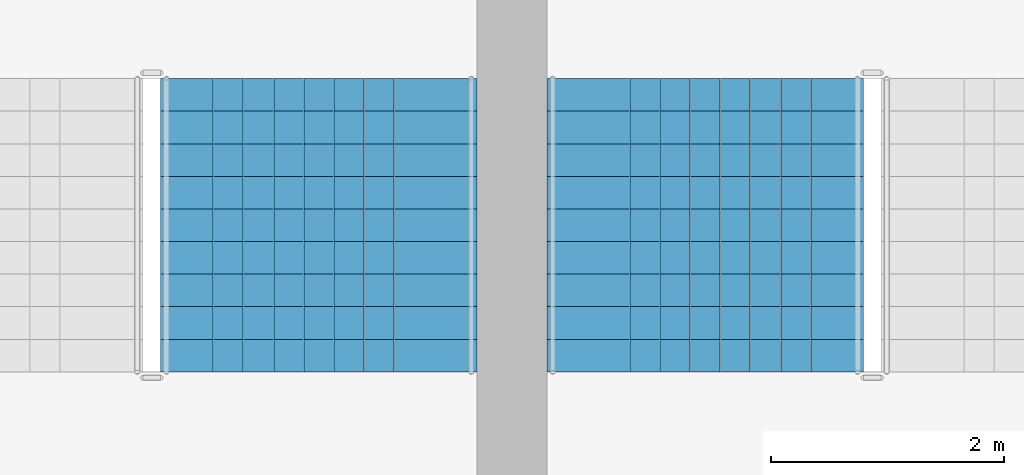
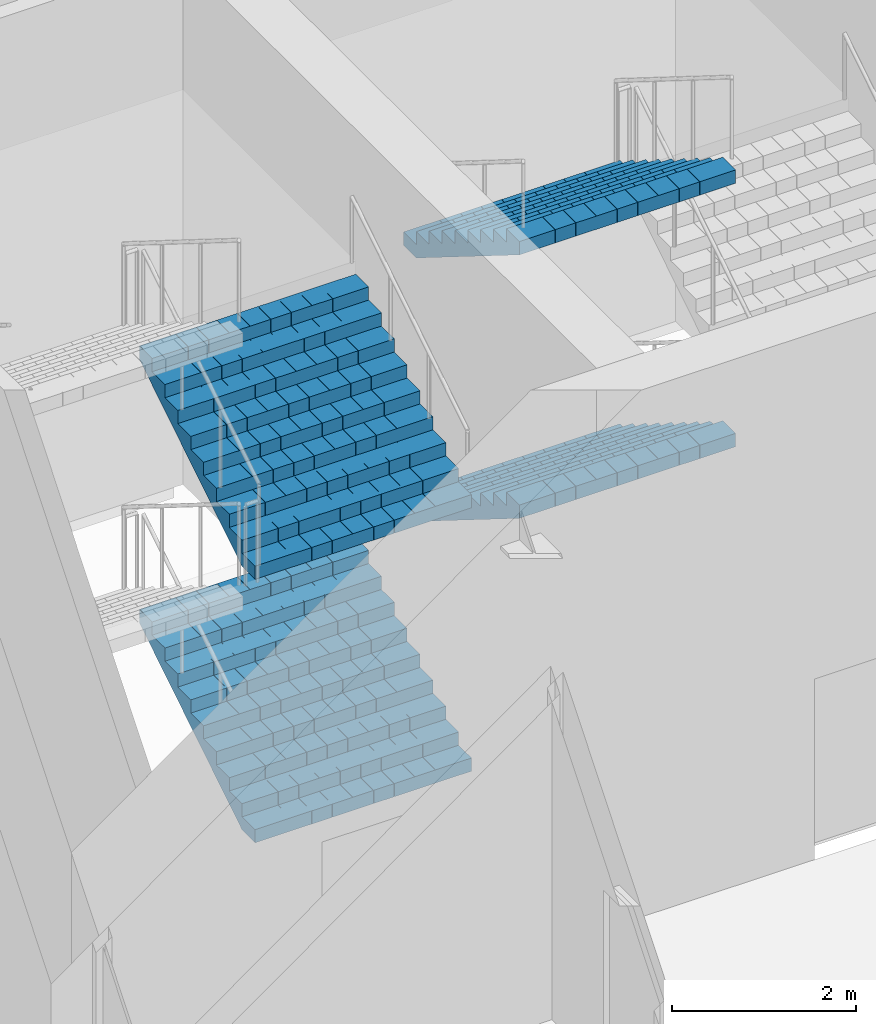
# One storey, part 48 of 62: 4 stair flights, 2 elements without a shape of their own.
"""IFC4 building model written with IfcOpenShell, lengths in metres."""

import ifcopenshell
import ifcopenshell.guid

model = None  # the IFC model being written
_history = None  # IfcOwnerHistory: only IFC2X3 demands one
_inside = {}  # id of a spatial element -> (the spatial element, [elements in it])
_under = {}  # id of a project, library or spatial element -> (it, [spatial elements below it])
_declared = {}  # id of a project -> (the project, [libraries it declares])
_typed = {}  # id of a type object -> (the type object, [elements of that type])
_made_of = {}  # id of a material, layer set ... -> (it, [elements and type objects made of it])


def new_model(schema):
    """Start an empty IFC model of exactly this schema.

    Asked for "IFC4X3", IfcOpenShell would pick the latest addendum, in which some entities
    have other attributes; the version numbers below select the first issue.
    IFC2X3 requires an IfcOwnerHistory on every rooted entity: one is made here for all.
    """
    global model, _history
    if schema == "IFC4X3":
        model = ifcopenshell.file(schema_version=(4, 3, 0, 0))
    else:
        model = ifcopenshell.file(schema=schema)
    _inside.clear()
    _under.clear()
    _declared.clear()
    _typed.clear()
    _made_of.clear()
    _history = None
    if model.schema == "IFC2X3":
        org = make("IfcOrganization", Name="unknown")
        user = make(
            "IfcPersonAndOrganization",
            ThePerson=make("IfcPerson", FamilyName="unknown"),
            TheOrganization=org,
        )
        app = make(
            "IfcApplication",
            ApplicationDeveloper=org,
            Version="unknown",
            ApplicationFullName="unknown",
            ApplicationIdentifier="unknown",
        )
        _history = make(
            "IfcOwnerHistory",
            OwningUser=user,
            OwningApplication=app,
            ChangeAction="ADDED",
            CreationDate=0,
        )
    return model


def make(cls, **values):
    """One entity of the class cls with the attributes given. An attribute that is None is left unset."""
    return model.create_entity(
        cls, **{name: value for name, value in values.items() if value is not None}
    )


def rooted(cls, **values):
    """An entity with a GlobalId (a new one), such as an element, a storey or a relation."""
    return make(cls, GlobalId=ifcopenshell.guid.new(), OwnerHistory=_history, **values)


def si_unit(unit_type, name, prefix=None):
    """IfcSIUnit, for example si_unit("LENGTHUNIT", "METRE", prefix="MILLI")."""
    return make("IfcSIUnit", UnitType=unit_type, Prefix=prefix, Name=name)


def assignment(units):
    """IfcUnitAssignment: the units of a project."""
    return None if units is None else make("IfcUnitAssignment", Units=units)


def point(xyz):
    """IfcCartesianPoint."""
    return None if xyz is None else make("IfcCartesianPoint", Coordinates=xyz)


def direction(xyz):
    """IfcDirection."""
    return None if xyz is None else make("IfcDirection", DirectionRatios=xyz)


def frame(location, z_axis=None, x_axis=None):
    """IfcAxis2Placement3D, a coordinate frame: its origin and axes. An axis left out is left unset."""
    return make(
        "IfcAxis2Placement3D",
        Location=point(location),
        Axis=direction(z_axis),
        RefDirection=direction(x_axis),
    )


def origin():
    """The frame at (0, 0, 0) with its axes left unset."""
    return frame((0.0, 0.0, 0.0))


def place(relative_to, where):
    """IfcLocalPlacement: puts the frame where relative to a parent placement (None: the world)."""
    return make(
        "IfcLocalPlacement", PlacementRelTo=relative_to, RelativePlacement=where
    )


def context(
    kind, dimensions, precision=None, world=None, true_north=None, identifier=None
):
    """IfcGeometricRepresentationContext, for example the 3D "Model" context."""
    return make(
        "IfcGeometricRepresentationContext",
        ContextIdentifier=identifier,
        ContextType=kind,
        CoordinateSpaceDimension=dimensions,
        Precision=precision,
        WorldCoordinateSystem=world,
        TrueNorth=true_north,
    )


def subcontext(parent, identifier, kind, view, scale=None):
    """IfcGeometricRepresentationSubContext, for example "Body" below "Model"."""
    return make(
        "IfcGeometricRepresentationSubContext",
        ContextIdentifier=identifier,
        ContextType=kind,
        ParentContext=parent,
        TargetScale=scale,
        TargetView=view,
    )


def project(units=None, contexts=None):
    """IfcProject with its units and contexts."""
    return rooted(
        "IfcProject",
        Name="project",
        RepresentationContexts=contexts,
        UnitsInContext=assignment(units),
    )


def spatial(cls, under=None, at=None, **own):
    """A site, building, storey or space (cls), placed at a placement, below another one or the project."""
    s = rooted(cls, ObjectPlacement=at, **own)
    if under is not None:
        _under.setdefault(under.id(), (under, []))[1].append(s)
    return s


def polyline(points):
    """IfcPolyline through the points."""
    return make("IfcPolyline", Points=[point(p) for p in points])


def outline(outer, holes=None, kind="AREA"):
    """IfcArbitraryClosedProfileDef: a profile drawn as a closed curve; with holes, ...WithVoids."""
    if holes is None:
        return make("IfcArbitraryClosedProfileDef", ProfileType=kind, OuterCurve=outer)
    return make(
        "IfcArbitraryProfileDefWithVoids",
        ProfileType=kind,
        OuterCurve=outer,
        InnerCurves=holes,
    )


def extrude(swept, where, along, depth):
    """IfcExtrudedAreaSolid: the profile swept, set in the frame where, extruded along a direction by depth."""
    return make(
        "IfcExtrudedAreaSolid",
        SweptArea=swept,
        Position=where,
        ExtrudedDirection=direction(along),
        Depth=depth,
    )


def shape(context_of_items, identifier, shape_type, items):
    """IfcShapeRepresentation: the items that make up one representation, for example the "Body"."""
    return make(
        "IfcShapeRepresentation",
        ContextOfItems=context_of_items,
        RepresentationIdentifier=identifier,
        RepresentationType=shape_type,
        Items=items,
    )


def material(Name=None, Category=None):
    """IfcMaterial."""
    return make("IfcMaterial", Name=Name, Category=Category)


def made_of(thing, what):
    """Note that an element or type object is made of a material, layer set ...; save() writes the relation."""
    if what is not None:
        _made_of.setdefault(what.id(), (what, []))[1].append(thing)
    return thing


def type_object(cls, material=None, **own):
    """A type object (cls), such as IfcWallType, which elements share."""
    return made_of(rooted(cls, **own), material)


def element(
    cls,
    number,
    at=None,
    inside=None,
    cuts=None,
    type_object=None,
    material=None,
    context=None,
    identifier="Body",
    shape_type=None,
    held_by="IfcProductDefinitionShape",
    body=None,
    shapes=None,
    **own,
):
    """One element of the class cls, such as IfcWall. Its Tag is "e" and its number.

    at: its placement. inside: the storey or other place that contains it. cuts: it is an
    opening in that element (IfcRelVoidsElement). A single representation is given by context,
    identifier, shape_type and body (its items); several are given by shapes. held_by: the class
    of the entity that holds the representations. save() writes the other relations.
    """
    e = rooted(cls, Tag="e%d" % number, ObjectPlacement=at, **own)
    if body is not None:
        shapes = [shape(context, identifier, shape_type, body)]
    if shapes is not None:
        e.Representation = make(held_by, Representations=shapes)
    if inside is not None:
        _inside.setdefault(inside.id(), (inside, []))[1].append(e)
    if cuts is not None:
        rooted(
            "IfcRelVoidsElement", RelatingBuildingElement=cuts, RelatedOpeningElement=e
        )
    if type_object is not None:
        _typed.setdefault(type_object.id(), (type_object, []))[1].append(e)
    return made_of(e, material)


def aggregate(whole, parts):
    """IfcRelAggregates: a whole, such as a stair, and the parts it consists of."""
    return rooted("IfcRelAggregates", RelatingObject=whole, RelatedObjects=parts)


def save(model, path):
    """Write the relations noted so far, then the file.

    IfcRelAggregates (storeys below a building ...), IfcRelContainedInSpatialStructure (elements
    in a storey), IfcRelDefinesByType, IfcRelAssociatesMaterial and IfcRelDeclares: one each for
    every whole, place, type object, material and project.
    """
    for whole, parts in _under.values():
        aggregate(whole, parts)
    for where, things in _inside.values():
        rooted(
            "IfcRelContainedInSpatialStructure",
            RelatedElements=things,
            RelatingStructure=where,
        )
    for kind, things in _typed.values():
        rooted("IfcRelDefinesByType", RelatedObjects=things, RelatingType=kind)
    for what, things in _made_of.values():
        rooted("IfcRelAssociatesMaterial", RelatedObjects=things, RelatingMaterial=what)
    for by, libraries in _declared.values():
        rooted("IfcRelDeclares", RelatingContext=by, RelatedDefinitions=libraries)
    model.write(path)


model = new_model("IFC4")

# Units and contexts
model_context = context("Model", 3, precision=1e-05, world=origin(), true_north=direction((0.0, 1.0)))
body_context = subcontext(model_context, "Body", "Model", "MODEL_VIEW")
ifc_project = project(units=[si_unit("LENGTHUNIT", "METRE"), si_unit("AREAUNIT", "SQUARE_METRE"), si_unit("VOLUMEUNIT", "CUBIC_METRE"), si_unit("PLANEANGLEUNIT", "RADIAN"), si_unit("MASSUNIT", "GRAM", prefix="KILO")], contexts=[model_context])

# Site, building, storey
site_placement = place(None, origin())
site = spatial("IfcSite", under=ifc_project, at=site_placement, CompositionType="ELEMENT")
building_placement = place(site_placement, origin())
building = spatial("IfcBuilding", under=site, at=building_placement, Name="Corbelhall Arena Tower", CompositionType="ELEMENT")
storey_placement = place(building_placement, frame((0.0, 0.0, 12.0)))
storey = spatial("IfcBuildingStorey", under=building, at=storey_placement, Name="L01", CompositionType="ELEMENT", Elevation=12.0)

# Stair, stair flights
ifc_material = material(Name="Reinforced concrete C40/50", Category="concrete")
stair_type = type_object("IfcStairType", Name="AR-EXIT-STAIR", PredefinedType="HALF_TURN_STAIR", material=ifc_material)
stair_1_placement = place(storey_placement, origin())
stair_1 = element("IfcStair", 1, at=stair_1_placement, inside=storey, type_object=stair_type, Name="L01 exit stair AS3", PredefinedType="HALF_TURN_STAIR")
stair_flight_type = type_object("IfcStairFlightType", Name="AR-EXIT-FLIGHT", PredefinedType="STRAIGHT", material=ifc_material)
stair_flight_1_placement = place(storey_placement, frame((-38.840087890625, 29.840087890625, 1.75), z_axis=(0.0, 0.0, 1.0), x_axis=(0.0, -1.0, 0.0)))
stair_flight_1 = element("IfcStairFlight", 2, at=stair_flight_1_placement, type_object=stair_flight_type, Name="AS3 flight 2", NumberOfRisers=10, NumberOfTreads=9, PredefinedType="STRAIGHT", RiserHeight=0.175, TreadLength=0.28, context=body_context, shape_type="SweptSolid", body=[
    extrude(outline(polyline([(0.0, 0.0), (0.0, 0.175048828125), (0.280029296875, 0.175048828125), (0.280029296875, 0.35009765625), (0.56005859375, 0.35009765625), (0.56005859375, 0.52490234375), (0.840087890625, 0.52490234375), (0.840087890625, 0.699951171875), (1.1201171875, 0.699951171875), (1.1201171875, 0.875), (1.39990234375, 0.875), (1.39990234375, 1.050048828125), (1.679931640625, 1.050048828125), (1.679931640625, 1.22509765625), (1.9599609375, 1.22509765625), (1.9599609375, 1.39990234375), (2.239990234375, 1.39990234375), (2.239990234375, 1.574951171875), (2.52001953125, 1.574951171875), (2.52001953125, 1.75), (2.52001953125, 1.398193359375), (0.28271484375, 0.0), (0.0, 0.0)])), frame((0.0, 1.35986328125, 0.0), z_axis=(0.0, -1.0, 0.0), x_axis=(1.0, 0.0, 0.0)), (0.0, 0.0, 1.0), 0.449951171875),
    extrude(outline(polyline([(0.0, 0.0), (0.0, 0.175048828125), (0.280029296875, 0.175048828125), (0.280029296875, 0.35009765625), (0.56005859375, 0.35009765625), (0.56005859375, 0.52490234375), (0.840087890625, 0.52490234375), (0.840087890625, 0.699951171875), (1.1201171875, 0.699951171875), (1.1201171875, 0.875), (1.39990234375, 0.875), (1.39990234375, 1.050048828125), (1.679931640625, 1.050048828125), (1.679931640625, 1.22509765625), (1.9599609375, 1.22509765625), (1.9599609375, 1.39990234375), (2.239990234375, 1.39990234375), (2.239990234375, 1.574951171875), (2.52001953125, 1.574951171875), (2.52001953125, 1.75), (2.52001953125, 1.398193359375), (0.28271484375, 0.0), (0.0, 0.0)])), frame((0.0, 0.906005859375, 0.0), z_axis=(0.0, -1.0, 0.0), x_axis=(1.0, 0.0, 0.0)), (0.0, 0.0, 1.0), 0.25537109375),
    extrude(outline(polyline([(0.0, 0.0), (0.0, 0.175048828125), (0.280029296875, 0.175048828125), (0.280029296875, 0.35009765625), (0.56005859375, 0.35009765625), (0.56005859375, 0.52490234375), (0.840087890625, 0.52490234375), (0.840087890625, 0.699951171875), (1.1201171875, 0.699951171875), (1.1201171875, 0.875), (1.39990234375, 0.875), (1.39990234375, 1.050048828125), (1.679931640625, 1.050048828125), (1.679931640625, 1.22509765625), (1.9599609375, 1.22509765625), (1.9599609375, 1.39990234375), (2.239990234375, 1.39990234375), (2.239990234375, 1.574951171875), (2.52001953125, 1.574951171875), (2.52001953125, 1.75), (2.52001953125, 1.398193359375), (0.28271484375, 0.0), (0.0, 0.0)])), frame((0.0, 0.646484375, 0.0), z_axis=(0.0, -1.0, 0.0), x_axis=(1.0, 0.0, 0.0)), (0.0, 0.0, 1.0), 0.25537109375),
    extrude(outline(polyline([(0.0, 0.0), (0.0, 0.175048828125), (0.280029296875, 0.175048828125), (0.280029296875, 0.35009765625), (0.56005859375, 0.35009765625), (0.56005859375, 0.52490234375), (0.840087890625, 0.52490234375), (0.840087890625, 0.699951171875), (1.1201171875, 0.699951171875), (1.1201171875, 0.875), (1.39990234375, 0.875), (1.39990234375, 1.050048828125), (1.679931640625, 1.050048828125), (1.679931640625, 1.22509765625), (1.9599609375, 1.22509765625), (1.9599609375, 1.39990234375), (2.239990234375, 1.39990234375), (2.239990234375, 1.574951171875), (2.52001953125, 1.574951171875), (2.52001953125, 1.75), (2.52001953125, 1.398193359375), (0.28271484375, 0.0), (0.0, 0.0)])), frame((0.0, 0.38720703125, 0.0), z_axis=(0.0, -1.0, 0.0), x_axis=(1.0, 0.0, 0.0)), (0.0, 0.0, 1.0), 0.25537109375),
    extrude(outline(polyline([(0.0, 0.0), (0.0, 0.175048828125), (0.280029296875, 0.175048828125), (0.280029296875, 0.35009765625), (0.56005859375, 0.35009765625), (0.56005859375, 0.52490234375), (0.840087890625, 0.52490234375), (0.840087890625, 0.699951171875), (1.1201171875, 0.699951171875), (1.1201171875, 0.875), (1.39990234375, 0.875), (1.39990234375, 1.050048828125), (1.679931640625, 1.050048828125), (1.679931640625, 1.22509765625), (1.9599609375, 1.22509765625), (1.9599609375, 1.39990234375), (2.239990234375, 1.39990234375), (2.239990234375, 1.574951171875), (2.52001953125, 1.574951171875), (2.52001953125, 1.75), (2.52001953125, 1.398193359375), (0.28271484375, 0.0), (0.0, 0.0)])), frame((0.0, 0.127685546875, 0.0), z_axis=(0.0, -1.0, 0.0), x_axis=(1.0, 0.0, 0.0)), (0.0, 0.0, 1.0), 0.25537109375),
    extrude(outline(polyline([(0.0, 0.0), (0.0, 0.175048828125), (0.280029296875, 0.175048828125), (0.280029296875, 0.35009765625), (0.56005859375, 0.35009765625), (0.56005859375, 0.52490234375), (0.840087890625, 0.52490234375), (0.840087890625, 0.699951171875), (1.1201171875, 0.699951171875), (1.1201171875, 0.875), (1.39990234375, 0.875), (1.39990234375, 1.050048828125), (1.679931640625, 1.050048828125), (1.679931640625, 1.22509765625), (1.9599609375, 1.22509765625), (1.9599609375, 1.39990234375), (2.239990234375, 1.39990234375), (2.239990234375, 1.574951171875), (2.52001953125, 1.574951171875), (2.52001953125, 1.75), (2.52001953125, 1.398193359375), (0.28271484375, 0.0), (0.0, 0.0)])), frame((0.0, -0.131591796875, 0.0), z_axis=(0.0, -1.0, 0.0), x_axis=(1.0, 0.0, 0.0)), (0.0, 0.0, 1.0), 0.25537109375),
    extrude(outline(polyline([(0.0, 0.0), (0.0, 0.175048828125), (0.280029296875, 0.175048828125), (0.280029296875, 0.35009765625), (0.56005859375, 0.35009765625), (0.56005859375, 0.52490234375), (0.840087890625, 0.52490234375), (0.840087890625, 0.699951171875), (1.1201171875, 0.699951171875), (1.1201171875, 0.875), (1.39990234375, 0.875), (1.39990234375, 1.050048828125), (1.679931640625, 1.050048828125), (1.679931640625, 1.22509765625), (1.9599609375, 1.22509765625), (1.9599609375, 1.39990234375), (2.239990234375, 1.39990234375), (2.239990234375, 1.574951171875), (2.52001953125, 1.574951171875), (2.52001953125, 1.75), (2.52001953125, 1.398193359375), (0.28271484375, 0.0), (0.0, 0.0)])), frame((0.0, -0.39111328125, 0.0), z_axis=(0.0, -1.0, 0.0), x_axis=(1.0, 0.0, 0.0)), (0.0, 0.0, 1.0), 0.25537109375),
    extrude(outline(polyline([(0.0, 0.0), (0.0, 0.175048828125), (0.280029296875, 0.175048828125), (0.280029296875, 0.35009765625), (0.56005859375, 0.35009765625), (0.56005859375, 0.52490234375), (0.840087890625, 0.52490234375), (0.840087890625, 0.699951171875), (1.1201171875, 0.699951171875), (1.1201171875, 0.875), (1.39990234375, 0.875), (1.39990234375, 1.050048828125), (1.679931640625, 1.050048828125), (1.679931640625, 1.22509765625), (1.9599609375, 1.22509765625), (1.9599609375, 1.39990234375), (2.239990234375, 1.39990234375), (2.239990234375, 1.574951171875), (2.52001953125, 1.574951171875), (2.52001953125, 1.75), (2.52001953125, 1.398193359375), (0.28271484375, 0.0), (0.0, 0.0)])), frame((0.0, -0.650634765625, 0.0), z_axis=(0.0, -1.0, 0.0), x_axis=(1.0, 0.0, 0.0)), (0.0, 0.0, 1.0), 0.25537109375),
    extrude(outline(polyline([(0.0, 0.0), (0.0, 0.175048828125), (0.280029296875, 0.175048828125), (0.280029296875, 0.35009765625), (0.56005859375, 0.35009765625), (0.56005859375, 0.52490234375), (0.840087890625, 0.52490234375), (0.840087890625, 0.699951171875), (1.1201171875, 0.699951171875), (1.1201171875, 0.875), (1.39990234375, 0.875), (1.39990234375, 1.050048828125), (1.679931640625, 1.050048828125), (1.679931640625, 1.22509765625), (1.9599609375, 1.22509765625), (1.9599609375, 1.39990234375), (2.239990234375, 1.39990234375), (2.239990234375, 1.574951171875), (2.52001953125, 1.574951171875), (2.52001953125, 1.75), (2.52001953125, 1.398193359375), (0.28271484375, 0.0), (0.0, 0.0)])), frame((0.0, -0.909912109375, 0.0), z_axis=(0.0, -1.0, 0.0), x_axis=(1.0, 0.0, 0.0)), (0.0, 0.0, 1.0), 0.449951171875),
])
stair_flight_2_placement = place(storey_placement, frame((-38.840087890625, 29.840087890625, 5.25), z_axis=(0.0, 0.0, 1.0), x_axis=(0.0, -1.0, 0.0)))
stair_flight_2 = element("IfcStairFlight", 3, at=stair_flight_2_placement, type_object=stair_flight_type, Name="AS3 flight 4", NumberOfRisers=10, NumberOfTreads=9, PredefinedType="STRAIGHT", RiserHeight=0.175, TreadLength=0.28, context=body_context, shape_type="SweptSolid", body=[
    extrude(outline(polyline([(0.0, 0.0), (0.0, 0.175048828125), (0.280029296875, 0.175048828125), (0.280029296875, 0.35009765625), (0.56005859375, 0.35009765625), (0.56005859375, 0.52490234375), (0.840087890625, 0.52490234375), (0.840087890625, 0.699951171875), (1.1201171875, 0.699951171875), (1.1201171875, 0.875), (1.39990234375, 0.875), (1.39990234375, 1.050048828125), (1.679931640625, 1.050048828125), (1.679931640625, 1.22509765625), (1.9599609375, 1.22509765625), (1.9599609375, 1.39990234375), (2.239990234375, 1.39990234375), (2.239990234375, 1.574951171875), (2.52001953125, 1.574951171875), (2.52001953125, 1.75), (2.52001953125, 1.398193359375), (0.28271484375, 0.0), (0.0, 0.0)])), frame((0.0, 1.35986328125, 0.0), z_axis=(0.0, -1.0, 0.0), x_axis=(1.0, 0.0, 0.0)), (0.0, 0.0, 1.0), 0.449951171875),
    extrude(outline(polyline([(0.0, 0.0), (0.0, 0.175048828125), (0.280029296875, 0.175048828125), (0.280029296875, 0.35009765625), (0.56005859375, 0.35009765625), (0.56005859375, 0.52490234375), (0.840087890625, 0.52490234375), (0.840087890625, 0.699951171875), (1.1201171875, 0.699951171875), (1.1201171875, 0.875), (1.39990234375, 0.875), (1.39990234375, 1.050048828125), (1.679931640625, 1.050048828125), (1.679931640625, 1.22509765625), (1.9599609375, 1.22509765625), (1.9599609375, 1.39990234375), (2.239990234375, 1.39990234375), (2.239990234375, 1.574951171875), (2.52001953125, 1.574951171875), (2.52001953125, 1.75), (2.52001953125, 1.398193359375), (0.28271484375, 0.0), (0.0, 0.0)])), frame((0.0, 0.906005859375, 0.0), z_axis=(0.0, -1.0, 0.0), x_axis=(1.0, 0.0, 0.0)), (0.0, 0.0, 1.0), 0.25537109375),
    extrude(outline(polyline([(0.0, 0.0), (0.0, 0.175048828125), (0.280029296875, 0.175048828125), (0.280029296875, 0.35009765625), (0.56005859375, 0.35009765625), (0.56005859375, 0.52490234375), (0.840087890625, 0.52490234375), (0.840087890625, 0.699951171875), (1.1201171875, 0.699951171875), (1.1201171875, 0.875), (1.39990234375, 0.875), (1.39990234375, 1.050048828125), (1.679931640625, 1.050048828125), (1.679931640625, 1.22509765625), (1.9599609375, 1.22509765625), (1.9599609375, 1.39990234375), (2.239990234375, 1.39990234375), (2.239990234375, 1.574951171875), (2.52001953125, 1.574951171875), (2.52001953125, 1.75), (2.52001953125, 1.398193359375), (0.28271484375, 0.0), (0.0, 0.0)])), frame((0.0, 0.646484375, 0.0), z_axis=(0.0, -1.0, 0.0), x_axis=(1.0, 0.0, 0.0)), (0.0, 0.0, 1.0), 0.25537109375),
    extrude(outline(polyline([(0.0, 0.0), (0.0, 0.175048828125), (0.280029296875, 0.175048828125), (0.280029296875, 0.35009765625), (0.56005859375, 0.35009765625), (0.56005859375, 0.52490234375), (0.840087890625, 0.52490234375), (0.840087890625, 0.699951171875), (1.1201171875, 0.699951171875), (1.1201171875, 0.875), (1.39990234375, 0.875), (1.39990234375, 1.050048828125), (1.679931640625, 1.050048828125), (1.679931640625, 1.22509765625), (1.9599609375, 1.22509765625), (1.9599609375, 1.39990234375), (2.239990234375, 1.39990234375), (2.239990234375, 1.574951171875), (2.52001953125, 1.574951171875), (2.52001953125, 1.75), (2.52001953125, 1.398193359375), (0.28271484375, 0.0), (0.0, 0.0)])), frame((0.0, 0.38720703125, 0.0), z_axis=(0.0, -1.0, 0.0), x_axis=(1.0, 0.0, 0.0)), (0.0, 0.0, 1.0), 0.25537109375),
    extrude(outline(polyline([(0.0, 0.0), (0.0, 0.175048828125), (0.280029296875, 0.175048828125), (0.280029296875, 0.35009765625), (0.56005859375, 0.35009765625), (0.56005859375, 0.52490234375), (0.840087890625, 0.52490234375), (0.840087890625, 0.699951171875), (1.1201171875, 0.699951171875), (1.1201171875, 0.875), (1.39990234375, 0.875), (1.39990234375, 1.050048828125), (1.679931640625, 1.050048828125), (1.679931640625, 1.22509765625), (1.9599609375, 1.22509765625), (1.9599609375, 1.39990234375), (2.239990234375, 1.39990234375), (2.239990234375, 1.574951171875), (2.52001953125, 1.574951171875), (2.52001953125, 1.75), (2.52001953125, 1.398193359375), (0.28271484375, 0.0), (0.0, 0.0)])), frame((0.0, 0.127685546875, 0.0), z_axis=(0.0, -1.0, 0.0), x_axis=(1.0, 0.0, 0.0)), (0.0, 0.0, 1.0), 0.25537109375),
    extrude(outline(polyline([(0.0, 0.0), (0.0, 0.175048828125), (0.280029296875, 0.175048828125), (0.280029296875, 0.35009765625), (0.56005859375, 0.35009765625), (0.56005859375, 0.52490234375), (0.840087890625, 0.52490234375), (0.840087890625, 0.699951171875), (1.1201171875, 0.699951171875), (1.1201171875, 0.875), (1.39990234375, 0.875), (1.39990234375, 1.050048828125), (1.679931640625, 1.050048828125), (1.679931640625, 1.22509765625), (1.9599609375, 1.22509765625), (1.9599609375, 1.39990234375), (2.239990234375, 1.39990234375), (2.239990234375, 1.574951171875), (2.52001953125, 1.574951171875), (2.52001953125, 1.75), (2.52001953125, 1.398193359375), (0.28271484375, 0.0), (0.0, 0.0)])), frame((0.0, -0.131591796875, 0.0), z_axis=(0.0, -1.0, 0.0), x_axis=(1.0, 0.0, 0.0)), (0.0, 0.0, 1.0), 0.25537109375),
    extrude(outline(polyline([(0.0, 0.0), (0.0, 0.175048828125), (0.280029296875, 0.175048828125), (0.280029296875, 0.35009765625), (0.56005859375, 0.35009765625), (0.56005859375, 0.52490234375), (0.840087890625, 0.52490234375), (0.840087890625, 0.699951171875), (1.1201171875, 0.699951171875), (1.1201171875, 0.875), (1.39990234375, 0.875), (1.39990234375, 1.050048828125), (1.679931640625, 1.050048828125), (1.679931640625, 1.22509765625), (1.9599609375, 1.22509765625), (1.9599609375, 1.39990234375), (2.239990234375, 1.39990234375), (2.239990234375, 1.574951171875), (2.52001953125, 1.574951171875), (2.52001953125, 1.75), (2.52001953125, 1.398193359375), (0.28271484375, 0.0), (0.0, 0.0)])), frame((0.0, -0.39111328125, 0.0), z_axis=(0.0, -1.0, 0.0), x_axis=(1.0, 0.0, 0.0)), (0.0, 0.0, 1.0), 0.25537109375),
    extrude(outline(polyline([(0.0, 0.0), (0.0, 0.175048828125), (0.280029296875, 0.175048828125), (0.280029296875, 0.35009765625), (0.56005859375, 0.35009765625), (0.56005859375, 0.52490234375), (0.840087890625, 0.52490234375), (0.840087890625, 0.699951171875), (1.1201171875, 0.699951171875), (1.1201171875, 0.875), (1.39990234375, 0.875), (1.39990234375, 1.050048828125), (1.679931640625, 1.050048828125), (1.679931640625, 1.22509765625), (1.9599609375, 1.22509765625), (1.9599609375, 1.39990234375), (2.239990234375, 1.39990234375), (2.239990234375, 1.574951171875), (2.52001953125, 1.574951171875), (2.52001953125, 1.75), (2.52001953125, 1.398193359375), (0.28271484375, 0.0), (0.0, 0.0)])), frame((0.0, -0.650634765625, 0.0), z_axis=(0.0, -1.0, 0.0), x_axis=(1.0, 0.0, 0.0)), (0.0, 0.0, 1.0), 0.25537109375),
    extrude(outline(polyline([(0.0, 0.0), (0.0, 0.175048828125), (0.280029296875, 0.175048828125), (0.280029296875, 0.35009765625), (0.56005859375, 0.35009765625), (0.56005859375, 0.52490234375), (0.840087890625, 0.52490234375), (0.840087890625, 0.699951171875), (1.1201171875, 0.699951171875), (1.1201171875, 0.875), (1.39990234375, 0.875), (1.39990234375, 1.050048828125), (1.679931640625, 1.050048828125), (1.679931640625, 1.22509765625), (1.9599609375, 1.22509765625), (1.9599609375, 1.39990234375), (2.239990234375, 1.39990234375), (2.239990234375, 1.574951171875), (2.52001953125, 1.574951171875), (2.52001953125, 1.75), (2.52001953125, 1.398193359375), (0.28271484375, 0.0), (0.0, 0.0)])), frame((0.0, -0.909912109375, 0.0), z_axis=(0.0, -1.0, 0.0), x_axis=(1.0, 0.0, 0.0)), (0.0, 0.0, 1.0), 0.449951171875),
])
aggregate(stair_1, [stair_flight_1, stair_flight_2])

stair_2_placement = place(storey_placement, origin())
stair_2 = element("IfcStair", 4, at=stair_2_placement, inside=storey, type_object=stair_type, Name="L01 exit stair AS4", PredefinedType="HALF_TURN_STAIR")
stair_flight_3_placement = place(storey_placement, frame((-42.159912109375, 27.320068359375, 0.0), z_axis=(0.0, 0.0, 1.0), x_axis=(0.0, 1.0, 0.0)))
stair_flight_3 = element("IfcStairFlight", 5, at=stair_flight_3_placement, type_object=stair_flight_type, Name="AS4 flight 1", NumberOfRisers=10, NumberOfTreads=9, PredefinedType="STRAIGHT", RiserHeight=0.175, TreadLength=0.28, context=body_context, shape_type="SweptSolid", body=[
    extrude(outline(polyline([(0.0, 0.0), (0.0, 0.175048828125), (0.280029296875, 0.175048828125), (0.280029296875, 0.35009765625), (0.56005859375, 0.35009765625), (0.56005859375, 0.52490234375), (0.840087890625, 0.52490234375), (0.840087890625, 0.699951171875), (1.1201171875, 0.699951171875), (1.1201171875, 0.875), (1.39990234375, 0.875), (1.39990234375, 1.050048828125), (1.679931640625, 1.050048828125), (1.679931640625, 1.22509765625), (1.9599609375, 1.22509765625), (1.9599609375, 1.39990234375), (2.239990234375, 1.39990234375), (2.239990234375, 1.574951171875), (2.52001953125, 1.574951171875), (2.52001953125, 1.75), (2.52001953125, 1.398193359375), (0.28271484375, 0.0), (0.0, 0.0)])), frame((0.0, 1.35986328125, 0.0), z_axis=(0.0, -1.0, 0.0), x_axis=(1.0, 0.0, 0.0)), (0.0, 0.0, 1.0), 0.449951171875),
    extrude(outline(polyline([(0.0, 0.0), (0.0, 0.175048828125), (0.280029296875, 0.175048828125), (0.280029296875, 0.35009765625), (0.56005859375, 0.35009765625), (0.56005859375, 0.52490234375), (0.840087890625, 0.52490234375), (0.840087890625, 0.699951171875), (1.1201171875, 0.699951171875), (1.1201171875, 0.875), (1.39990234375, 0.875), (1.39990234375, 1.050048828125), (1.679931640625, 1.050048828125), (1.679931640625, 1.22509765625), (1.9599609375, 1.22509765625), (1.9599609375, 1.39990234375), (2.239990234375, 1.39990234375), (2.239990234375, 1.574951171875), (2.52001953125, 1.574951171875), (2.52001953125, 1.75), (2.52001953125, 1.398193359375), (0.28271484375, 0.0), (0.0, 0.0)])), frame((0.0, 0.906005859375, 0.0), z_axis=(0.0, -1.0, 0.0), x_axis=(1.0, 0.0, 0.0)), (0.0, 0.0, 1.0), 0.25537109375),
    extrude(outline(polyline([(0.0, 0.0), (0.0, 0.175048828125), (0.280029296875, 0.175048828125), (0.280029296875, 0.35009765625), (0.56005859375, 0.35009765625), (0.56005859375, 0.52490234375), (0.840087890625, 0.52490234375), (0.840087890625, 0.699951171875), (1.1201171875, 0.699951171875), (1.1201171875, 0.875), (1.39990234375, 0.875), (1.39990234375, 1.050048828125), (1.679931640625, 1.050048828125), (1.679931640625, 1.22509765625), (1.9599609375, 1.22509765625), (1.9599609375, 1.39990234375), (2.239990234375, 1.39990234375), (2.239990234375, 1.574951171875), (2.52001953125, 1.574951171875), (2.52001953125, 1.75), (2.52001953125, 1.398193359375), (0.28271484375, 0.0), (0.0, 0.0)])), frame((0.0, 0.646484375, 0.0), z_axis=(0.0, -1.0, 0.0), x_axis=(1.0, 0.0, 0.0)), (0.0, 0.0, 1.0), 0.25537109375),
    extrude(outline(polyline([(0.0, 0.0), (0.0, 0.175048828125), (0.280029296875, 0.175048828125), (0.280029296875, 0.35009765625), (0.56005859375, 0.35009765625), (0.56005859375, 0.52490234375), (0.840087890625, 0.52490234375), (0.840087890625, 0.699951171875), (1.1201171875, 0.699951171875), (1.1201171875, 0.875), (1.39990234375, 0.875), (1.39990234375, 1.050048828125), (1.679931640625, 1.050048828125), (1.679931640625, 1.22509765625), (1.9599609375, 1.22509765625), (1.9599609375, 1.39990234375), (2.239990234375, 1.39990234375), (2.239990234375, 1.574951171875), (2.52001953125, 1.574951171875), (2.52001953125, 1.75), (2.52001953125, 1.398193359375), (0.28271484375, 0.0), (0.0, 0.0)])), frame((0.0, 0.38720703125, 0.0), z_axis=(0.0, -1.0, 0.0), x_axis=(1.0, 0.0, 0.0)), (0.0, 0.0, 1.0), 0.25537109375),
    extrude(outline(polyline([(0.0, 0.0), (0.0, 0.175048828125), (0.280029296875, 0.175048828125), (0.280029296875, 0.35009765625), (0.56005859375, 0.35009765625), (0.56005859375, 0.52490234375), (0.840087890625, 0.52490234375), (0.840087890625, 0.699951171875), (1.1201171875, 0.699951171875), (1.1201171875, 0.875), (1.39990234375, 0.875), (1.39990234375, 1.050048828125), (1.679931640625, 1.050048828125), (1.679931640625, 1.22509765625), (1.9599609375, 1.22509765625), (1.9599609375, 1.39990234375), (2.239990234375, 1.39990234375), (2.239990234375, 1.574951171875), (2.52001953125, 1.574951171875), (2.52001953125, 1.75), (2.52001953125, 1.398193359375), (0.28271484375, 0.0), (0.0, 0.0)])), frame((0.0, 0.127685546875, 0.0), z_axis=(0.0, -1.0, 0.0), x_axis=(1.0, 0.0, 0.0)), (0.0, 0.0, 1.0), 0.25537109375),
    extrude(outline(polyline([(0.0, 0.0), (0.0, 0.175048828125), (0.280029296875, 0.175048828125), (0.280029296875, 0.35009765625), (0.56005859375, 0.35009765625), (0.56005859375, 0.52490234375), (0.840087890625, 0.52490234375), (0.840087890625, 0.699951171875), (1.1201171875, 0.699951171875), (1.1201171875, 0.875), (1.39990234375, 0.875), (1.39990234375, 1.050048828125), (1.679931640625, 1.050048828125), (1.679931640625, 1.22509765625), (1.9599609375, 1.22509765625), (1.9599609375, 1.39990234375), (2.239990234375, 1.39990234375), (2.239990234375, 1.574951171875), (2.52001953125, 1.574951171875), (2.52001953125, 1.75), (2.52001953125, 1.398193359375), (0.28271484375, 0.0), (0.0, 0.0)])), frame((0.0, -0.131591796875, 0.0), z_axis=(0.0, -1.0, 0.0), x_axis=(1.0, 0.0, 0.0)), (0.0, 0.0, 1.0), 0.25537109375),
    extrude(outline(polyline([(0.0, 0.0), (0.0, 0.175048828125), (0.280029296875, 0.175048828125), (0.280029296875, 0.35009765625), (0.56005859375, 0.35009765625), (0.56005859375, 0.52490234375), (0.840087890625, 0.52490234375), (0.840087890625, 0.699951171875), (1.1201171875, 0.699951171875), (1.1201171875, 0.875), (1.39990234375, 0.875), (1.39990234375, 1.050048828125), (1.679931640625, 1.050048828125), (1.679931640625, 1.22509765625), (1.9599609375, 1.22509765625), (1.9599609375, 1.39990234375), (2.239990234375, 1.39990234375), (2.239990234375, 1.574951171875), (2.52001953125, 1.574951171875), (2.52001953125, 1.75), (2.52001953125, 1.398193359375), (0.28271484375, 0.0), (0.0, 0.0)])), frame((0.0, -0.39111328125, 0.0), z_axis=(0.0, -1.0, 0.0), x_axis=(1.0, 0.0, 0.0)), (0.0, 0.0, 1.0), 0.25537109375),
    extrude(outline(polyline([(0.0, 0.0), (0.0, 0.175048828125), (0.280029296875, 0.175048828125), (0.280029296875, 0.35009765625), (0.56005859375, 0.35009765625), (0.56005859375, 0.52490234375), (0.840087890625, 0.52490234375), (0.840087890625, 0.699951171875), (1.1201171875, 0.699951171875), (1.1201171875, 0.875), (1.39990234375, 0.875), (1.39990234375, 1.050048828125), (1.679931640625, 1.050048828125), (1.679931640625, 1.22509765625), (1.9599609375, 1.22509765625), (1.9599609375, 1.39990234375), (2.239990234375, 1.39990234375), (2.239990234375, 1.574951171875), (2.52001953125, 1.574951171875), (2.52001953125, 1.75), (2.52001953125, 1.398193359375), (0.28271484375, 0.0), (0.0, 0.0)])), frame((0.0, -0.650634765625, 0.0), z_axis=(0.0, -1.0, 0.0), x_axis=(1.0, 0.0, 0.0)), (0.0, 0.0, 1.0), 0.25537109375),
    extrude(outline(polyline([(0.0, 0.0), (0.0, 0.175048828125), (0.280029296875, 0.175048828125), (0.280029296875, 0.35009765625), (0.56005859375, 0.35009765625), (0.56005859375, 0.52490234375), (0.840087890625, 0.52490234375), (0.840087890625, 0.699951171875), (1.1201171875, 0.699951171875), (1.1201171875, 0.875), (1.39990234375, 0.875), (1.39990234375, 1.050048828125), (1.679931640625, 1.050048828125), (1.679931640625, 1.22509765625), (1.9599609375, 1.22509765625), (1.9599609375, 1.39990234375), (2.239990234375, 1.39990234375), (2.239990234375, 1.574951171875), (2.52001953125, 1.574951171875), (2.52001953125, 1.75), (2.52001953125, 1.398193359375), (0.28271484375, 0.0), (0.0, 0.0)])), frame((0.0, -0.909912109375, 0.0), z_axis=(0.0, -1.0, 0.0), x_axis=(1.0, 0.0, 0.0)), (0.0, 0.0, 1.0), 0.449951171875),
])
stair_flight_4_placement = place(storey_placement, frame((-42.159912109375, 27.320068359375, 3.5), z_axis=(0.0, 0.0, 1.0), x_axis=(0.0, 1.0, 0.0)))
stair_flight_4 = element("IfcStairFlight", 6, at=stair_flight_4_placement, type_object=stair_flight_type, Name="AS4 flight 3", NumberOfRisers=10, NumberOfTreads=9, PredefinedType="STRAIGHT", RiserHeight=0.175, TreadLength=0.28, context=body_context, shape_type="SweptSolid", body=[
    extrude(outline(polyline([(0.0, 0.0), (0.0, 0.175048828125), (0.280029296875, 0.175048828125), (0.280029296875, 0.35009765625), (0.56005859375, 0.35009765625), (0.56005859375, 0.52490234375), (0.840087890625, 0.52490234375), (0.840087890625, 0.699951171875), (1.1201171875, 0.699951171875), (1.1201171875, 0.875), (1.39990234375, 0.875), (1.39990234375, 1.050048828125), (1.679931640625, 1.050048828125), (1.679931640625, 1.22509765625), (1.9599609375, 1.22509765625), (1.9599609375, 1.39990234375), (2.239990234375, 1.39990234375), (2.239990234375, 1.574951171875), (2.52001953125, 1.574951171875), (2.52001953125, 1.75), (2.52001953125, 1.398193359375), (0.28271484375, 0.0), (0.0, 0.0)])), frame((0.0, 1.35986328125, 0.0), z_axis=(0.0, -1.0, 0.0), x_axis=(1.0, 0.0, 0.0)), (0.0, 0.0, 1.0), 0.449951171875),
    extrude(outline(polyline([(0.0, 0.0), (0.0, 0.175048828125), (0.280029296875, 0.175048828125), (0.280029296875, 0.35009765625), (0.56005859375, 0.35009765625), (0.56005859375, 0.52490234375), (0.840087890625, 0.52490234375), (0.840087890625, 0.699951171875), (1.1201171875, 0.699951171875), (1.1201171875, 0.875), (1.39990234375, 0.875), (1.39990234375, 1.050048828125), (1.679931640625, 1.050048828125), (1.679931640625, 1.22509765625), (1.9599609375, 1.22509765625), (1.9599609375, 1.39990234375), (2.239990234375, 1.39990234375), (2.239990234375, 1.574951171875), (2.52001953125, 1.574951171875), (2.52001953125, 1.75), (2.52001953125, 1.398193359375), (0.28271484375, 0.0), (0.0, 0.0)])), frame((0.0, 0.906005859375, 0.0), z_axis=(0.0, -1.0, 0.0), x_axis=(1.0, 0.0, 0.0)), (0.0, 0.0, 1.0), 0.25537109375),
    extrude(outline(polyline([(0.0, 0.0), (0.0, 0.175048828125), (0.280029296875, 0.175048828125), (0.280029296875, 0.35009765625), (0.56005859375, 0.35009765625), (0.56005859375, 0.52490234375), (0.840087890625, 0.52490234375), (0.840087890625, 0.699951171875), (1.1201171875, 0.699951171875), (1.1201171875, 0.875), (1.39990234375, 0.875), (1.39990234375, 1.050048828125), (1.679931640625, 1.050048828125), (1.679931640625, 1.22509765625), (1.9599609375, 1.22509765625), (1.9599609375, 1.39990234375), (2.239990234375, 1.39990234375), (2.239990234375, 1.574951171875), (2.52001953125, 1.574951171875), (2.52001953125, 1.75), (2.52001953125, 1.398193359375), (0.28271484375, 0.0), (0.0, 0.0)])), frame((0.0, 0.646484375, 0.0), z_axis=(0.0, -1.0, 0.0), x_axis=(1.0, 0.0, 0.0)), (0.0, 0.0, 1.0), 0.25537109375),
    extrude(outline(polyline([(0.0, 0.0), (0.0, 0.175048828125), (0.280029296875, 0.175048828125), (0.280029296875, 0.35009765625), (0.56005859375, 0.35009765625), (0.56005859375, 0.52490234375), (0.840087890625, 0.52490234375), (0.840087890625, 0.699951171875), (1.1201171875, 0.699951171875), (1.1201171875, 0.875), (1.39990234375, 0.875), (1.39990234375, 1.050048828125), (1.679931640625, 1.050048828125), (1.679931640625, 1.22509765625), (1.9599609375, 1.22509765625), (1.9599609375, 1.39990234375), (2.239990234375, 1.39990234375), (2.239990234375, 1.574951171875), (2.52001953125, 1.574951171875), (2.52001953125, 1.75), (2.52001953125, 1.398193359375), (0.28271484375, 0.0), (0.0, 0.0)])), frame((0.0, 0.38720703125, 0.0), z_axis=(0.0, -1.0, 0.0), x_axis=(1.0, 0.0, 0.0)), (0.0, 0.0, 1.0), 0.25537109375),
    extrude(outline(polyline([(0.0, 0.0), (0.0, 0.175048828125), (0.280029296875, 0.175048828125), (0.280029296875, 0.35009765625), (0.56005859375, 0.35009765625), (0.56005859375, 0.52490234375), (0.840087890625, 0.52490234375), (0.840087890625, 0.699951171875), (1.1201171875, 0.699951171875), (1.1201171875, 0.875), (1.39990234375, 0.875), (1.39990234375, 1.050048828125), (1.679931640625, 1.050048828125), (1.679931640625, 1.22509765625), (1.9599609375, 1.22509765625), (1.9599609375, 1.39990234375), (2.239990234375, 1.39990234375), (2.239990234375, 1.574951171875), (2.52001953125, 1.574951171875), (2.52001953125, 1.75), (2.52001953125, 1.398193359375), (0.28271484375, 0.0), (0.0, 0.0)])), frame((0.0, 0.127685546875, 0.0), z_axis=(0.0, -1.0, 0.0), x_axis=(1.0, 0.0, 0.0)), (0.0, 0.0, 1.0), 0.25537109375),
    extrude(outline(polyline([(0.0, 0.0), (0.0, 0.175048828125), (0.280029296875, 0.175048828125), (0.280029296875, 0.35009765625), (0.56005859375, 0.35009765625), (0.56005859375, 0.52490234375), (0.840087890625, 0.52490234375), (0.840087890625, 0.699951171875), (1.1201171875, 0.699951171875), (1.1201171875, 0.875), (1.39990234375, 0.875), (1.39990234375, 1.050048828125), (1.679931640625, 1.050048828125), (1.679931640625, 1.22509765625), (1.9599609375, 1.22509765625), (1.9599609375, 1.39990234375), (2.239990234375, 1.39990234375), (2.239990234375, 1.574951171875), (2.52001953125, 1.574951171875), (2.52001953125, 1.75), (2.52001953125, 1.398193359375), (0.28271484375, 0.0), (0.0, 0.0)])), frame((0.0, -0.131591796875, 0.0), z_axis=(0.0, -1.0, 0.0), x_axis=(1.0, 0.0, 0.0)), (0.0, 0.0, 1.0), 0.25537109375),
    extrude(outline(polyline([(0.0, 0.0), (0.0, 0.175048828125), (0.280029296875, 0.175048828125), (0.280029296875, 0.35009765625), (0.56005859375, 0.35009765625), (0.56005859375, 0.52490234375), (0.840087890625, 0.52490234375), (0.840087890625, 0.699951171875), (1.1201171875, 0.699951171875), (1.1201171875, 0.875), (1.39990234375, 0.875), (1.39990234375, 1.050048828125), (1.679931640625, 1.050048828125), (1.679931640625, 1.22509765625), (1.9599609375, 1.22509765625), (1.9599609375, 1.39990234375), (2.239990234375, 1.39990234375), (2.239990234375, 1.574951171875), (2.52001953125, 1.574951171875), (2.52001953125, 1.75), (2.52001953125, 1.398193359375), (0.28271484375, 0.0), (0.0, 0.0)])), frame((0.0, -0.39111328125, 0.0), z_axis=(0.0, -1.0, 0.0), x_axis=(1.0, 0.0, 0.0)), (0.0, 0.0, 1.0), 0.25537109375),
    extrude(outline(polyline([(0.0, 0.0), (0.0, 0.175048828125), (0.280029296875, 0.175048828125), (0.280029296875, 0.35009765625), (0.56005859375, 0.35009765625), (0.56005859375, 0.52490234375), (0.840087890625, 0.52490234375), (0.840087890625, 0.699951171875), (1.1201171875, 0.699951171875), (1.1201171875, 0.875), (1.39990234375, 0.875), (1.39990234375, 1.050048828125), (1.679931640625, 1.050048828125), (1.679931640625, 1.22509765625), (1.9599609375, 1.22509765625), (1.9599609375, 1.39990234375), (2.239990234375, 1.39990234375), (2.239990234375, 1.574951171875), (2.52001953125, 1.574951171875), (2.52001953125, 1.75), (2.52001953125, 1.398193359375), (0.28271484375, 0.0), (0.0, 0.0)])), frame((0.0, -0.650634765625, 0.0), z_axis=(0.0, -1.0, 0.0), x_axis=(1.0, 0.0, 0.0)), (0.0, 0.0, 1.0), 0.25537109375),
    extrude(outline(polyline([(0.0, 0.0), (0.0, 0.175048828125), (0.280029296875, 0.175048828125), (0.280029296875, 0.35009765625), (0.56005859375, 0.35009765625), (0.56005859375, 0.52490234375), (0.840087890625, 0.52490234375), (0.840087890625, 0.699951171875), (1.1201171875, 0.699951171875), (1.1201171875, 0.875), (1.39990234375, 0.875), (1.39990234375, 1.050048828125), (1.679931640625, 1.050048828125), (1.679931640625, 1.22509765625), (1.9599609375, 1.22509765625), (1.9599609375, 1.39990234375), (2.239990234375, 1.39990234375), (2.239990234375, 1.574951171875), (2.52001953125, 1.574951171875), (2.52001953125, 1.75), (2.52001953125, 1.398193359375), (0.28271484375, 0.0), (0.0, 0.0)])), frame((0.0, -0.909912109375, 0.0), z_axis=(0.0, -1.0, 0.0), x_axis=(1.0, 0.0, 0.0)), (0.0, 0.0, 1.0), 0.449951171875),
])
aggregate(stair_2, [stair_flight_3, stair_flight_4])

save(model, "model.ifc")
